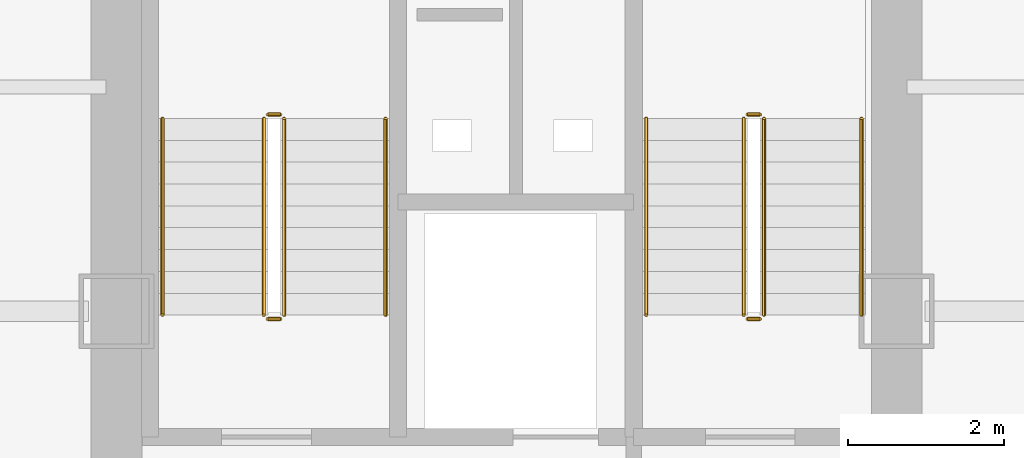
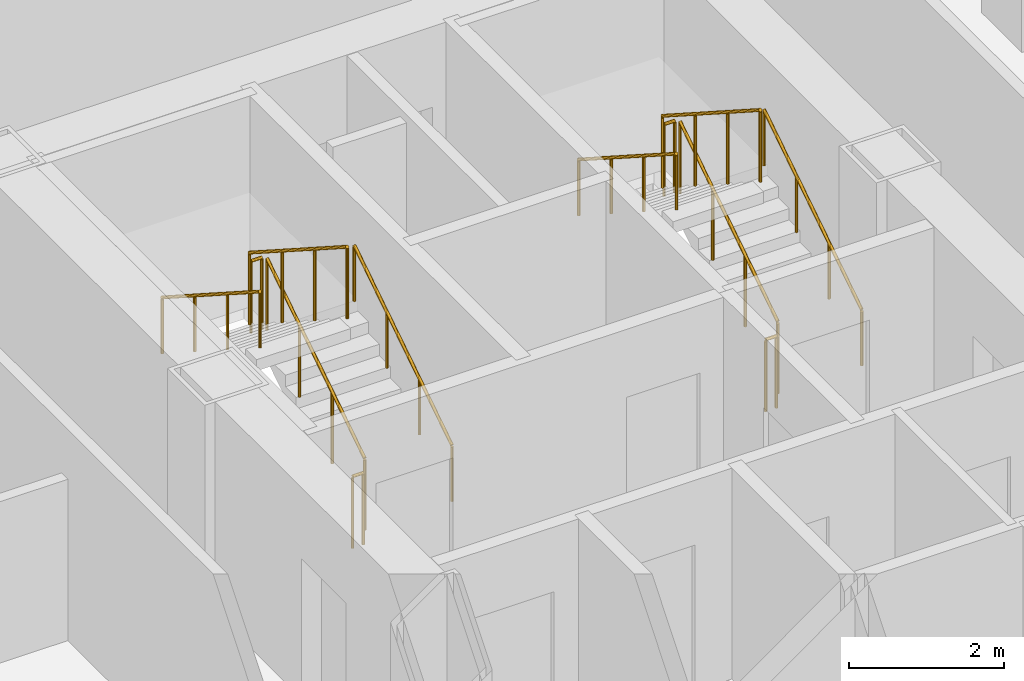
# One storey, part 20 of 21: 12 railings.
"""IFC4 building model written with IfcOpenShell, lengths in metres."""

from ifc_helpers import new_model, si_unit, direction, frame, origin, origin_2d, place, context, subcontext, project, spatial, circle, extrude, material, type_object, element, save


model = new_model("IFC4")

# Units and contexts
model_context = context("Model", 3, precision=1e-05, world=origin(), true_north=direction((0.0, 1.0)))
body_context = subcontext(model_context, "Body", "Model", "MODEL_VIEW")
ifc_project = project(units=[si_unit("LENGTHUNIT", "METRE"), si_unit("AREAUNIT", "SQUARE_METRE"), si_unit("VOLUMEUNIT", "CUBIC_METRE"), si_unit("PLANEANGLEUNIT", "RADIAN"), si_unit("MASSUNIT", "GRAM", prefix="KILO")], contexts=[model_context])

# Site, building, storey
site_placement = place(None, origin())
site = spatial("IfcSite", under=ifc_project, at=site_placement, CompositionType="ELEMENT")
building_placement = place(site_placement, origin())
building = spatial("IfcBuilding", under=site, at=building_placement, Name="Kolveth Station Tower", CompositionType="ELEMENT")
storey_placement = place(building_placement, frame((0.0, 0.0, 58.5)))
storey = spatial("IfcBuildingStorey", under=building, at=storey_placement, Name="L15", CompositionType="ELEMENT", Elevation=58.5)

# Railings
ifc_material_1 = material(Name="Painted Steel S355 balustrade", Category="steel")
railing_type_1 = type_object("IfcRailingType", Name="Guard_GR2", PredefinedType="BALUSTRADE", material=ifc_material_1)
railing_1_placement = place(storey_placement, frame((20.64990234375, 22.949951171875, 0.179931640625)))
element("IfcRailing", 1, at=railing_1_placement, inside=storey, type_object=railing_type_1, Name="L15 ST1 stair guard 1", PredefinedType="BALUSTRADE", context=body_context, shape_type="SweptSolid", body=[
    extrude(circle(Radius=0.02392578125, at=origin_2d()), frame((0.0, 0.0, 1.1259765625), z_axis=(0.0, 0.841162588446, 0.540782303519), x_axis=(-1.0, 0.0, 0.0)), (0.0, 0.0, 1.0), 2.995849609375),
    extrude(circle(Radius=0.02099609375, at=origin_2d()), origin(), (0.0, 0.0, 1.0), 1.101806640625),
    extrude(circle(Radius=0.02099609375, at=origin_2d()), frame((0.0, 0.840087890625, 0.5400390625)), (0.0, 0.0, 1.0), 1.101806640625),
    extrude(circle(Radius=0.02099609375, at=origin_2d()), frame((0.0, 1.679931640625, 1.080078125)), (0.0, 0.0, 1.0), 1.101806640625),
    extrude(circle(Radius=0.02099609375, at=origin_2d()), frame((0.0, 2.52001953125, 1.6201171875)), (0.0, 0.0, 1.0), 1.101806640625),
])
railing_2_placement = place(storey_placement, frame((20.60009765625, 25.52001953125, 1.800048828125)))
element("IfcRailing", 2, at=railing_2_placement, inside=storey, type_object=railing_type_1, Name="L15 ST1 stair guard 2", PredefinedType="BALUSTRADE", context=body_context, shape_type="SweptSolid", body=[
    extrude(circle(Radius=0.02392578125, at=origin_2d()), frame((0.0, 0.0, 1.1259765625), z_axis=(-1.0, 0.0, 0.0), x_axis=(0.0, -1.0, 0.0)), (0.0, 0.0, 1.0), 0.16015625),
    extrude(circle(Radius=0.02099609375, at=origin_2d()), origin(), (0.0, 0.0, 1.0), 1.101806640625),
    extrude(circle(Radius=0.02099609375, at=origin_2d()), frame((-0.16015625, 0.0, 0.0)), (0.0, 0.0, 1.0), 1.101806640625),
])
railing_3_placement = place(storey_placement, frame((20.389892578125, 25.469970703125, 1.97998046875)))
element("IfcRailing", 3, at=railing_3_placement, inside=storey, type_object=railing_type_1, Name="L15 ST1 stair guard 3", PredefinedType="BALUSTRADE", context=body_context, shape_type="SweptSolid", body=[
    extrude(circle(Radius=0.02392578125, at=origin_2d()), frame((0.0, 0.0, 1.1259765625), z_axis=(0.0, -0.841162588446, 0.540782303519), x_axis=(1.0, 0.0, 0.0)), (0.0, 0.0, 1.0), 2.995849609375),
    extrude(circle(Radius=0.02099609375, at=origin_2d()), origin(), (0.0, 0.0, 1.0), 1.101806640625),
    extrude(circle(Radius=0.02099609375, at=origin_2d()), frame((0.0, -0.840087890625, 0.5400390625)), (0.0, 0.0, 1.0), 1.101806640625),
    extrude(circle(Radius=0.02099609375, at=origin_2d()), frame((0.0, -1.679931640625, 1.080078125)), (0.0, 0.0, 1.0), 1.101806640625),
    extrude(circle(Radius=0.02099609375, at=origin_2d()), frame((0.0, -2.52001953125, 1.6201171875)), (0.0, 0.0, 1.0), 1.101806640625),
])
railing_4_placement = place(storey_placement, frame((20.60009765625, 22.89990234375, 0.0)))
element("IfcRailing", 4, at=railing_4_placement, inside=storey, type_object=railing_type_1, Name="L15 ST1 stair guard 4", PredefinedType="BALUSTRADE", context=body_context, shape_type="SweptSolid", body=[
    extrude(circle(Radius=0.02392578125, at=origin_2d()), frame((0.0, 0.0, 1.1259765625), z_axis=(-1.0, 0.0, 0.0), x_axis=(0.0, -1.0, 0.0)), (0.0, 0.0, 1.0), 0.16015625),
    extrude(circle(Radius=0.02099609375, at=origin_2d()), origin(), (0.0, 0.0, 1.0), 1.101806640625),
    extrude(circle(Radius=0.02099609375, at=origin_2d()), frame((-0.16015625, 0.0, 0.0)), (0.0, 0.0, 1.0), 1.101806640625),
])
railing_5_placement = place(storey_placement, frame((26.800048828125, 22.949951171875, 0.179931640625)))
element("IfcRailing", 5, at=railing_5_placement, inside=storey, type_object=railing_type_1, Name="L15 ST2 stair guard 1", PredefinedType="BALUSTRADE", context=body_context, shape_type="SweptSolid", body=[
    extrude(circle(Radius=0.02392578125, at=origin_2d()), frame((0.0, 0.0, 1.1259765625), z_axis=(0.0, 0.841162588446, 0.540782303519), x_axis=(-1.0, 0.0, 0.0)), (0.0, 0.0, 1.0), 2.995849609375),
    extrude(circle(Radius=0.02099609375, at=origin_2d()), origin(), (0.0, 0.0, 1.0), 1.101806640625),
    extrude(circle(Radius=0.02099609375, at=origin_2d()), frame((0.0, 0.840087890625, 0.5400390625)), (0.0, 0.0, 1.0), 1.101806640625),
    extrude(circle(Radius=0.02099609375, at=origin_2d()), frame((0.0, 1.679931640625, 1.080078125)), (0.0, 0.0, 1.0), 1.101806640625),
    extrude(circle(Radius=0.02099609375, at=origin_2d()), frame((0.0, 2.52001953125, 1.6201171875)), (0.0, 0.0, 1.0), 1.101806640625),
])
railing_6_placement = place(storey_placement, frame((26.75, 25.52001953125, 1.800048828125)))
element("IfcRailing", 6, at=railing_6_placement, inside=storey, type_object=railing_type_1, Name="L15 ST2 stair guard 2", PredefinedType="BALUSTRADE", context=body_context, shape_type="SweptSolid", body=[
    extrude(circle(Radius=0.02392578125, at=origin_2d()), frame((0.0, 0.0, 1.1259765625), z_axis=(-1.0, 0.0, 0.0), x_axis=(0.0, -1.0, 0.0)), (0.0, 0.0, 1.0), 0.159912109375),
    extrude(circle(Radius=0.02099609375, at=origin_2d()), origin(), (0.0, 0.0, 1.0), 1.101806640625),
    extrude(circle(Radius=0.02099609375, at=origin_2d()), frame((-0.159912109375, 0.0, 0.0)), (0.0, 0.0, 1.0), 1.101806640625),
])
railing_7_placement = place(storey_placement, frame((26.5400390625, 25.469970703125, 1.97998046875)))
element("IfcRailing", 7, at=railing_7_placement, inside=storey, type_object=railing_type_1, Name="L15 ST2 stair guard 3", PredefinedType="BALUSTRADE", context=body_context, shape_type="SweptSolid", body=[
    extrude(circle(Radius=0.02392578125, at=origin_2d()), frame((0.0, 0.0, 1.1259765625), z_axis=(0.0, -0.841162588446, 0.540782303519), x_axis=(1.0, 0.0, 0.0)), (0.0, 0.0, 1.0), 2.995849609375),
    extrude(circle(Radius=0.02099609375, at=origin_2d()), origin(), (0.0, 0.0, 1.0), 1.101806640625),
    extrude(circle(Radius=0.02099609375, at=origin_2d()), frame((0.0, -0.840087890625, 0.5400390625)), (0.0, 0.0, 1.0), 1.101806640625),
    extrude(circle(Radius=0.02099609375, at=origin_2d()), frame((0.0, -1.679931640625, 1.080078125)), (0.0, 0.0, 1.0), 1.101806640625),
    extrude(circle(Radius=0.02099609375, at=origin_2d()), frame((0.0, -2.52001953125, 1.6201171875)), (0.0, 0.0, 1.0), 1.101806640625),
])
railing_8_placement = place(storey_placement, frame((26.75, 22.89990234375, 0.0)))
element("IfcRailing", 8, at=railing_8_placement, inside=storey, type_object=railing_type_1, Name="L15 ST2 stair guard 4", PredefinedType="BALUSTRADE", context=body_context, shape_type="SweptSolid", body=[
    extrude(circle(Radius=0.02392578125, at=origin_2d()), frame((0.0, 0.0, 1.1259765625), z_axis=(-1.0, 0.0, 0.0), x_axis=(0.0, -1.0, 0.0)), (0.0, 0.0, 1.0), 0.159912109375),
    extrude(circle(Radius=0.02099609375, at=origin_2d()), origin(), (0.0, 0.0, 1.0), 1.101806640625),
    extrude(circle(Radius=0.02099609375, at=origin_2d()), frame((-0.159912109375, 0.0, 0.0)), (0.0, 0.0, 1.0), 1.101806640625),
])
ifc_material_2 = material(Name="Brushed stainless steel", Category="steel")
railing_type_2 = type_object("IfcRailingType", Name="Handrail_HR1", PredefinedType="HANDRAIL", material=ifc_material_2)
railing_9_placement = place(storey_placement, frame((21.949951171875, 22.949951171875, 0.179931640625)))
element("IfcRailing", 9, at=railing_9_placement, inside=storey, type_object=railing_type_2, Name="L15 ST1 stair handrail 1", PredefinedType="HANDRAIL", context=body_context, shape_type="SweptSolid", body=[
    extrude(circle(Radius=0.02392578125, at=origin_2d()), frame((0.0, 0.0, 0.8759765625), z_axis=(0.0, 0.841162588446, 0.540782303519), x_axis=(-1.0, 0.0, 0.0)), (0.0, 0.0, 1.0), 2.995849609375),
    extrude(circle(Radius=0.02099609375, at=origin_2d()), origin(), (0.0, 0.0, 1.0), 0.851806640625),
    extrude(circle(Radius=0.02099609375, at=origin_2d()), frame((0.0, 0.840087890625, 0.5400390625)), (0.0, 0.0, 1.0), 0.851806640625),
    extrude(circle(Radius=0.02099609375, at=origin_2d()), frame((0.0, 1.679931640625, 1.080078125)), (0.0, 0.0, 1.0), 0.851806640625),
    extrude(circle(Radius=0.02099609375, at=origin_2d()), frame((0.0, 2.52001953125, 1.6201171875)), (0.0, 0.0, 1.0), 0.851806640625),
])
railing_10_placement = place(storey_placement, frame((19.090087890625, 25.469970703125, 1.97998046875)))
element("IfcRailing", 10, at=railing_10_placement, inside=storey, type_object=railing_type_2, Name="L15 ST1 stair handrail 2", PredefinedType="HANDRAIL", context=body_context, shape_type="SweptSolid", body=[
    extrude(circle(Radius=0.02392578125, at=origin_2d()), frame((0.0, 0.0, 0.8759765625), z_axis=(0.0, -0.841162588446, 0.540782303519), x_axis=(1.0, 0.0, 0.0)), (0.0, 0.0, 1.0), 2.995849609375),
    extrude(circle(Radius=0.02099609375, at=origin_2d()), origin(), (0.0, 0.0, 1.0), 0.851806640625),
    extrude(circle(Radius=0.02099609375, at=origin_2d()), frame((0.0, -0.840087890625, 0.5400390625)), (0.0, 0.0, 1.0), 0.851806640625),
    extrude(circle(Radius=0.02099609375, at=origin_2d()), frame((0.0, -1.679931640625, 1.080078125)), (0.0, 0.0, 1.0), 0.851806640625),
    extrude(circle(Radius=0.02099609375, at=origin_2d()), frame((0.0, -2.52001953125, 1.6201171875)), (0.0, 0.0, 1.0), 0.851806640625),
])
railing_11_placement = place(storey_placement, frame((28.050048828125, 22.949951171875, 0.179931640625)))
element("IfcRailing", 11, at=railing_11_placement, inside=storey, type_object=railing_type_2, Name="L15 ST2 stair handrail 1", PredefinedType="HANDRAIL", context=body_context, shape_type="SweptSolid", body=[
    extrude(circle(Radius=0.02392578125, at=origin_2d()), frame((0.0, 0.0, 0.8759765625), z_axis=(0.0, 0.841162588446, 0.540782303519), x_axis=(-1.0, 0.0, 0.0)), (0.0, 0.0, 1.0), 2.995849609375),
    extrude(circle(Radius=0.02099609375, at=origin_2d()), origin(), (0.0, 0.0, 1.0), 0.851806640625),
    extrude(circle(Radius=0.02099609375, at=origin_2d()), frame((0.0, 0.840087890625, 0.5400390625)), (0.0, 0.0, 1.0), 0.851806640625),
    extrude(circle(Radius=0.02099609375, at=origin_2d()), frame((0.0, 1.679931640625, 1.080078125)), (0.0, 0.0, 1.0), 0.851806640625),
    extrude(circle(Radius=0.02099609375, at=origin_2d()), frame((0.0, 2.52001953125, 1.6201171875)), (0.0, 0.0, 1.0), 0.851806640625),
])
railing_12_placement = place(storey_placement, frame((25.2900390625, 25.469970703125, 1.97998046875)))
element("IfcRailing", 12, at=railing_12_placement, inside=storey, type_object=railing_type_2, Name="L15 ST2 stair handrail 2", PredefinedType="HANDRAIL", context=body_context, shape_type="SweptSolid", body=[
    extrude(circle(Radius=0.02392578125, at=origin_2d()), frame((0.0, 0.0, 0.8759765625), z_axis=(0.0, -0.841162588446, 0.540782303519), x_axis=(1.0, 0.0, 0.0)), (0.0, 0.0, 1.0), 2.995849609375),
    extrude(circle(Radius=0.02099609375, at=origin_2d()), origin(), (0.0, 0.0, 1.0), 0.851806640625),
    extrude(circle(Radius=0.02099609375, at=origin_2d()), frame((0.0, -0.840087890625, 0.5400390625)), (0.0, 0.0, 1.0), 0.851806640625),
    extrude(circle(Radius=0.02099609375, at=origin_2d()), frame((0.0, -1.679931640625, 1.080078125)), (0.0, 0.0, 1.0), 0.851806640625),
    extrude(circle(Radius=0.02099609375, at=origin_2d()), frame((0.0, -2.52001953125, 1.6201171875)), (0.0, 0.0, 1.0), 0.851806640625),
])

save(model, "model.ifc")
